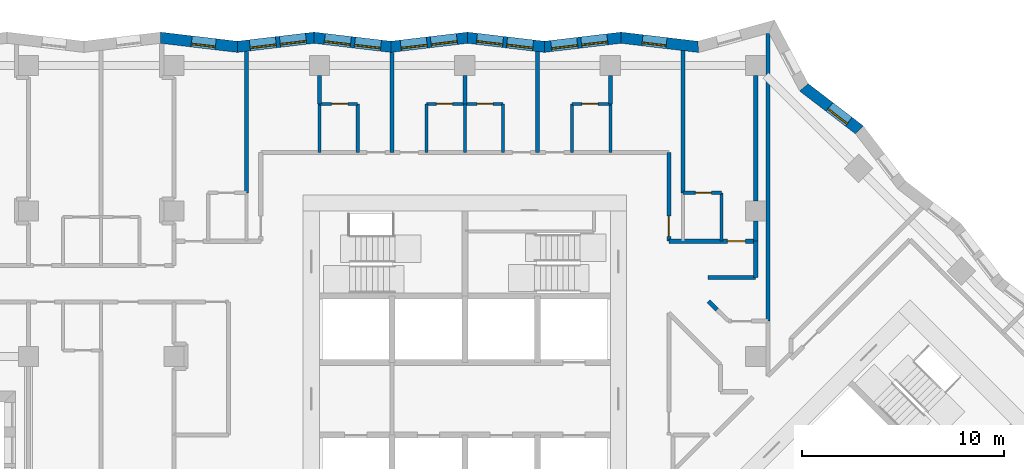
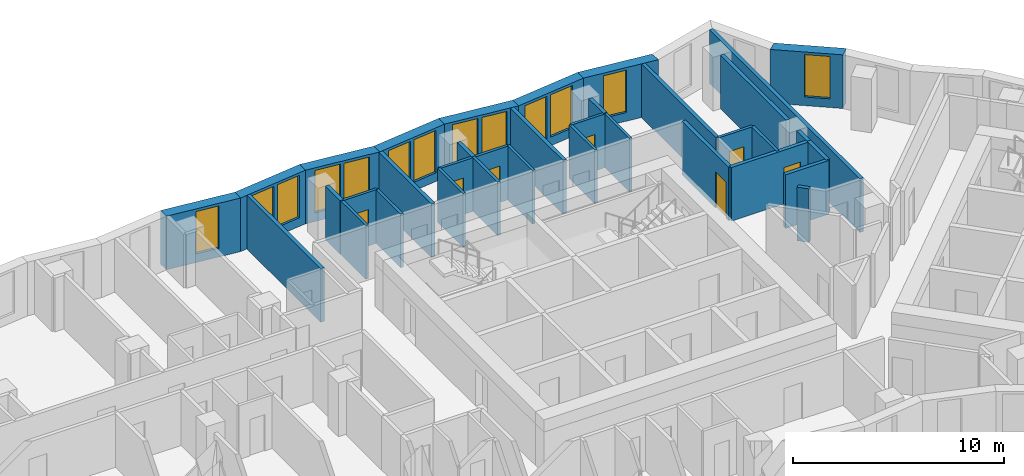
# One storey, part 7 of 13: 35 walls, 13 windows, 7 doors, 20 openings.
"""IFC4 building model written with IfcOpenShell, lengths in metres."""

import ifcopenshell
import ifcopenshell.guid

model = None  # the IFC model being written
_history = None  # IfcOwnerHistory: only IFC2X3 demands one
_inside = {}  # id of a spatial element -> (the spatial element, [elements in it])
_under = {}  # id of a project, library or spatial element -> (it, [spatial elements below it])
_declared = {}  # id of a project -> (the project, [libraries it declares])
_typed = {}  # id of a type object -> (the type object, [elements of that type])
_made_of = {}  # id of a material, layer set ... -> (it, [elements and type objects made of it])


def new_model(schema):
    """Start an empty IFC model of exactly this schema.

    Asked for "IFC4X3", IfcOpenShell would pick the latest addendum, in which some entities
    have other attributes; the version numbers below select the first issue.
    IFC2X3 requires an IfcOwnerHistory on every rooted entity: one is made here for all.
    """
    global model, _history
    if schema == "IFC4X3":
        model = ifcopenshell.file(schema_version=(4, 3, 0, 0))
    else:
        model = ifcopenshell.file(schema=schema)
    _inside.clear()
    _under.clear()
    _declared.clear()
    _typed.clear()
    _made_of.clear()
    _history = None
    if model.schema == "IFC2X3":
        org = make("IfcOrganization", Name="unknown")
        user = make(
            "IfcPersonAndOrganization",
            ThePerson=make("IfcPerson", FamilyName="unknown"),
            TheOrganization=org,
        )
        app = make(
            "IfcApplication",
            ApplicationDeveloper=org,
            Version="unknown",
            ApplicationFullName="unknown",
            ApplicationIdentifier="unknown",
        )
        _history = make(
            "IfcOwnerHistory",
            OwningUser=user,
            OwningApplication=app,
            ChangeAction="ADDED",
            CreationDate=0,
        )
    return model


def make(cls, **values):
    """One entity of the class cls with the attributes given. An attribute that is None is left unset."""
    return model.create_entity(
        cls, **{name: value for name, value in values.items() if value is not None}
    )


def rooted(cls, **values):
    """An entity with a GlobalId (a new one), such as an element, a storey or a relation."""
    return make(cls, GlobalId=ifcopenshell.guid.new(), OwnerHistory=_history, **values)


def si_unit(unit_type, name, prefix=None):
    """IfcSIUnit, for example si_unit("LENGTHUNIT", "METRE", prefix="MILLI")."""
    return make("IfcSIUnit", UnitType=unit_type, Prefix=prefix, Name=name)


def assignment(units):
    """IfcUnitAssignment: the units of a project."""
    return None if units is None else make("IfcUnitAssignment", Units=units)


def point(xyz):
    """IfcCartesianPoint."""
    return None if xyz is None else make("IfcCartesianPoint", Coordinates=xyz)


def direction(xyz):
    """IfcDirection."""
    return None if xyz is None else make("IfcDirection", DirectionRatios=xyz)


def frame(location, z_axis=None, x_axis=None):
    """IfcAxis2Placement3D, a coordinate frame: its origin and axes. An axis left out is left unset."""
    return make(
        "IfcAxis2Placement3D",
        Location=point(location),
        Axis=direction(z_axis),
        RefDirection=direction(x_axis),
    )


def frame_2d(location, x_axis=None):
    """IfcAxis2Placement2D, a coordinate frame in the plane: its origin and x axis."""
    return make(
        "IfcAxis2Placement2D", Location=point(location), RefDirection=direction(x_axis)
    )


def origin():
    """The frame at (0, 0, 0) with its axes left unset."""
    return frame((0.0, 0.0, 0.0))


def place(relative_to, where):
    """IfcLocalPlacement: puts the frame where relative to a parent placement (None: the world)."""
    return make(
        "IfcLocalPlacement", PlacementRelTo=relative_to, RelativePlacement=where
    )


def context(
    kind, dimensions, precision=None, world=None, true_north=None, identifier=None
):
    """IfcGeometricRepresentationContext, for example the 3D "Model" context."""
    return make(
        "IfcGeometricRepresentationContext",
        ContextIdentifier=identifier,
        ContextType=kind,
        CoordinateSpaceDimension=dimensions,
        Precision=precision,
        WorldCoordinateSystem=world,
        TrueNorth=true_north,
    )


def subcontext(parent, identifier, kind, view, scale=None):
    """IfcGeometricRepresentationSubContext, for example "Body" below "Model"."""
    return make(
        "IfcGeometricRepresentationSubContext",
        ContextIdentifier=identifier,
        ContextType=kind,
        ParentContext=parent,
        TargetScale=scale,
        TargetView=view,
    )


def project(units=None, contexts=None):
    """IfcProject with its units and contexts."""
    return rooted(
        "IfcProject",
        Name="project",
        RepresentationContexts=contexts,
        UnitsInContext=assignment(units),
    )


def spatial(cls, under=None, at=None, **own):
    """A site, building, storey or space (cls), placed at a placement, below another one or the project."""
    s = rooted(cls, ObjectPlacement=at, **own)
    if under is not None:
        _under.setdefault(under.id(), (under, []))[1].append(s)
    return s


def polyline(points):
    """IfcPolyline through the points."""
    return make("IfcPolyline", Points=[point(p) for p in points])


def profile(cls, at=None, kind="AREA", **sizes):
    """A parametric profile (cls). Its sizes go by their IFC names, for example OverallWidth=200.0."""
    return make(cls, ProfileType=kind, Position=at, **sizes)


def rectangle(**sizes):
    """IfcRectangleProfileDef."""
    return profile("IfcRectangleProfileDef", **sizes)


def outline(outer, holes=None, kind="AREA"):
    """IfcArbitraryClosedProfileDef: a profile drawn as a closed curve; with holes, ...WithVoids."""
    if holes is None:
        return make("IfcArbitraryClosedProfileDef", ProfileType=kind, OuterCurve=outer)
    return make(
        "IfcArbitraryProfileDefWithVoids",
        ProfileType=kind,
        OuterCurve=outer,
        InnerCurves=holes,
    )


def extrude(swept, where, along, depth):
    """IfcExtrudedAreaSolid: the profile swept, set in the frame where, extruded along a direction by depth."""
    return make(
        "IfcExtrudedAreaSolid",
        SweptArea=swept,
        Position=where,
        ExtrudedDirection=direction(along),
        Depth=depth,
    )


def shape(context_of_items, identifier, shape_type, items):
    """IfcShapeRepresentation: the items that make up one representation, for example the "Body"."""
    return make(
        "IfcShapeRepresentation",
        ContextOfItems=context_of_items,
        RepresentationIdentifier=identifier,
        RepresentationType=shape_type,
        Items=items,
    )


def material(Name=None, Category=None):
    """IfcMaterial."""
    return make("IfcMaterial", Name=Name, Category=Category)


def layer(
    of_material, thickness, ventilated=None, Name=None, Category=None, Priority=None
):
    """IfcMaterialLayer: one layer of a wall or slab, of a material (None: an air gap)."""
    return make(
        "IfcMaterialLayer",
        Material=of_material,
        LayerThickness=thickness,
        IsVentilated=ventilated,
        Name=Name,
        Category=Category,
        Priority=Priority,
    )


def layer_set(layers, Name=None):
    """IfcMaterialLayerSet."""
    return make("IfcMaterialLayerSet", MaterialLayers=layers, LayerSetName=Name)


def made_of(thing, what):
    """Note that an element or type object is made of a material, layer set ...; save() writes the relation."""
    if what is not None:
        _made_of.setdefault(what.id(), (what, []))[1].append(thing)
    return thing


def type_object(cls, material=None, **own):
    """A type object (cls), such as IfcWallType, which elements share."""
    return made_of(rooted(cls, **own), material)


def element(
    cls,
    number,
    at=None,
    inside=None,
    cuts=None,
    type_object=None,
    material=None,
    context=None,
    identifier="Body",
    shape_type=None,
    held_by="IfcProductDefinitionShape",
    body=None,
    shapes=None,
    **own,
):
    """One element of the class cls, such as IfcWall. Its Tag is "e" and its number.

    at: its placement. inside: the storey or other place that contains it. cuts: it is an
    opening in that element (IfcRelVoidsElement). A single representation is given by context,
    identifier, shape_type and body (its items); several are given by shapes. held_by: the class
    of the entity that holds the representations. save() writes the other relations.
    """
    e = rooted(cls, Tag="e%d" % number, ObjectPlacement=at, **own)
    if body is not None:
        shapes = [shape(context, identifier, shape_type, body)]
    if shapes is not None:
        e.Representation = make(held_by, Representations=shapes)
    if inside is not None:
        _inside.setdefault(inside.id(), (inside, []))[1].append(e)
    if cuts is not None:
        rooted(
            "IfcRelVoidsElement", RelatingBuildingElement=cuts, RelatedOpeningElement=e
        )
    if type_object is not None:
        _typed.setdefault(type_object.id(), (type_object, []))[1].append(e)
    return made_of(e, material)


def fill(opening, filler):
    """IfcRelFillsElement: the door or window that sits in an opening."""
    return rooted(
        "IfcRelFillsElement",
        RelatingOpeningElement=opening,
        RelatedBuildingElement=filler,
    )


def aggregate(whole, parts):
    """IfcRelAggregates: a whole, such as a stair, and the parts it consists of."""
    return rooted("IfcRelAggregates", RelatingObject=whole, RelatedObjects=parts)


def save(model, path):
    """Write the relations noted so far, then the file.

    IfcRelAggregates (storeys below a building ...), IfcRelContainedInSpatialStructure (elements
    in a storey), IfcRelDefinesByType, IfcRelAssociatesMaterial and IfcRelDeclares: one each for
    every whole, place, type object, material and project.
    """
    for whole, parts in _under.values():
        aggregate(whole, parts)
    for where, things in _inside.values():
        rooted(
            "IfcRelContainedInSpatialStructure",
            RelatedElements=things,
            RelatingStructure=where,
        )
    for kind, things in _typed.values():
        rooted("IfcRelDefinesByType", RelatedObjects=things, RelatingType=kind)
    for what, things in _made_of.values():
        rooted("IfcRelAssociatesMaterial", RelatedObjects=things, RelatingMaterial=what)
    for by, libraries in _declared.values():
        rooted("IfcRelDeclares", RelatingContext=by, RelatedDefinitions=libraries)
    model.write(path)


model = new_model("IFC4")

# Units and contexts
model_context = context("Model", 3, precision=1e-05, world=origin(), true_north=direction((0.0, 1.0)))
body_context = subcontext(model_context, "Body", "Model", "MODEL_VIEW")
ifc_project = project(units=[si_unit("LENGTHUNIT", "METRE"), si_unit("AREAUNIT", "SQUARE_METRE"), si_unit("VOLUMEUNIT", "CUBIC_METRE"), si_unit("PLANEANGLEUNIT", "RADIAN"), si_unit("MASSUNIT", "GRAM", prefix="KILO")], contexts=[model_context])

# Site, building, storey
site_placement = place(None, origin())
site = spatial("IfcSite", under=ifc_project, at=site_placement, CompositionType="ELEMENT")
building_placement = place(site_placement, origin())
building = spatial("IfcBuilding", under=site, at=building_placement, Name="Windrow Commons", CompositionType="ELEMENT")
storey_placement = place(building_placement, frame((0.0, 0.0, 98.2)))
storey = spatial("IfcBuildingStorey", under=building, at=storey_placement, Name="L26", CompositionType="ELEMENT", Elevation=98.2)

# Wall, opening, window
ifc_material_1 = material(Name="Brick masonry, red clay brick", Category="masonry")
ifc_layer_1 = layer(ifc_material_1, 0.55)
ifc_layer_set_1 = layer_set([ifc_layer_1], Name="Brick facade wall 550")
wall_type_1 = type_object("IfcWallType", Name="Brick facade wall 550", PredefinedType="SOLIDWALL", material=ifc_layer_set_1)
wall_1_placement = place(storey_placement, frame((84.3337, 68.8089, 0.0), z_axis=(0.0, 0.0, 1.0), x_axis=(-0.7937262612, 0.6082751206, 0.0)))
wall_1 = element("IfcWall", 1, at=wall_1_placement, inside=storey, type_object=wall_type_1, Name="Brick facade wall L26 19", PredefinedType="SOLIDWALL", context=body_context, shape_type="SweptSolid", body=[
    extrude(outline(polyline([(-0.0364, -0.275), (3.4028, -0.275), (3.523, 0.275), (0.0364, 0.275), (-0.0364, -0.275)])), origin(), (0.0, 0.0, 1.0), 3.1),
])
opening_1_placement = place(wall_1_placement, frame((0.6714, 0.0, 0.5)))
opening_1 = element("IfcOpeningElement", 2, at=opening_1_placement, cuts=wall_1, Name="Opening W7D", PredefinedType="OPENING", context=body_context, shape_type="SweptSolid", body=[
    extrude(rectangle(XDim=1.2, YDim=2.45, at=frame_2d((0.6, 1.225))), frame((0.0, 0.285, 0.0), z_axis=(0.0, -1.0, 0.0), x_axis=(1.0, 0.0, 0.0)), (0.0, 0.0, 1.0), 0.57),
])
ifc_material_2 = material(Name="Clear float glass in anodised aluminium frame", Category="aluminium")
window_type_1 = type_object("IfcWindowType", Name="Window W7 notch 1200x2450", PartitioningType="SINGLE_PANEL", PredefinedType="WINDOW", material=ifc_material_2)
window_1_placement = place(opening_1_placement, origin())
window_1 = element("IfcWindow", 3, at=window_1_placement, inside=storey, type_object=window_type_1, Name="Window L26 19.1", OverallHeight=2.45, OverallWidth=1.2, PartitioningType="SINGLE_PANEL", PredefinedType="WINDOW", context=body_context, shape_type="SweptSolid", body=[
    extrude(rectangle(XDim=1.2, YDim=2.45, at=frame_2d((0.6, 1.225))), frame((0.0, 0.155, 0.0), z_axis=(0.0, -1.0, 0.0), x_axis=(1.0, 0.0, 0.0)), (0.0, 0.0, 1.0), 0.06),
])
fill(opening_1, window_1)

wall_2_placement = place(storey_placement, frame((76.3547, 72.9205, 0.0), z_axis=(0.0, 0.0, 1.0), x_axis=(-0.9930244072, 0.1179089763, 0.0)))
wall_2 = element("IfcWall", 4, at=wall_2_placement, inside=storey, type_object=wall_type_1, Name="Brick facade wall L26 22", PredefinedType="SOLIDWALL", context=body_context, shape_type="SweptSolid", body=[
    extrude(outline(polyline([(0.054, -0.275), (3.8797, -0.275), (3.8144, 0.275), (-0.054, 0.275), (0.054, -0.275)])), origin(), (0.0, 0.0, 1.0), 3.1),
])
opening_2_placement = place(wall_2_placement, frame((1.5872, 0.0, 0.5)))
opening_2 = element("IfcOpeningElement", 5, at=opening_2_placement, cuts=wall_2, Name="Opening W7D", PredefinedType="OPENING", context=body_context, shape_type="SweptSolid", body=[
    extrude(rectangle(XDim=1.2, YDim=2.45, at=frame_2d((0.6, 1.225))), frame((0.0, 0.285, 0.0), z_axis=(0.0, -1.0, 0.0), x_axis=(1.0, 0.0, 0.0)), (0.0, 0.0, 1.0), 0.57),
])
window_2_placement = place(opening_2_placement, origin())
window_2 = element("IfcWindow", 6, at=window_2_placement, inside=storey, type_object=window_type_1, Name="Window L26 22.1", OverallHeight=2.45, OverallWidth=1.2, PartitioningType="SINGLE_PANEL", PredefinedType="WINDOW", context=body_context, shape_type="SweptSolid", body=[
    extrude(rectangle(XDim=1.2, YDim=2.45, at=frame_2d((0.6, 1.225))), frame((0.0, 0.155, 0.0), z_axis=(0.0, -1.0, 0.0), x_axis=(1.0, 0.0, 0.0)), (0.0, 0.0, 1.0), 0.06),
])
fill(opening_2, window_2)

# Wall, openings, windows
wall_3_placement = place(storey_placement, frame((72.5345, 73.3741, 0.0), z_axis=(0.0, 0.0, 1.0), x_axis=(-0.9930269402, -0.1178876415, 0.0)))
wall_3 = element("IfcWall", 7, at=wall_3_placement, inside=storey, type_object=wall_type_1, Name="Brick facade wall L26 23", PredefinedType="SOLIDWALL", context=body_context, shape_type="SweptSolid", body=[
    extrude(outline(polyline([(-0.0326, -0.275), (3.793, -0.275), (3.8583, 0.275), (0.0326, 0.275), (-0.0326, -0.275)])), origin(), (0.0, 0.0, 1.0), 3.1),
])
opening_3_placement = place(wall_3_placement, frame((0.682, 0.0, 0.5)))
opening_3 = element("IfcOpeningElement", 8, at=opening_3_placement, cuts=wall_3, Name="Opening W1P", PredefinedType="OPENING", context=body_context, shape_type="SweptSolid", body=[
    extrude(rectangle(XDim=1.3, YDim=2.45, at=frame_2d((0.65, 1.225))), frame((0.0, 0.285, 0.0), z_axis=(0.0, -1.0, 0.0), x_axis=(1.0, 0.0, 0.0)), (0.0, 0.0, 1.0), 0.57),
])
opening_4_placement = place(wall_3_placement, frame((2.182, 0.0, 0.5)))
opening_4 = element("IfcOpeningElement", 9, at=opening_4_placement, cuts=wall_3, Name="Opening W1P", PredefinedType="OPENING", context=body_context, shape_type="SweptSolid", body=[
    extrude(rectangle(XDim=1.3, YDim=2.45, at=frame_2d((0.65, 1.225))), frame((0.0, 0.285, 0.0), z_axis=(0.0, -1.0, 0.0), x_axis=(1.0, 0.0, 0.0)), (0.0, 0.0, 1.0), 0.57),
])
ifc_material_3 = material(Name="Clear float glass in anodised aluminium frame", Category="aluminium")
window_type_2 = type_object("IfcWindowType", Name="Window W1P pair 1300x2450", PartitioningType="SINGLE_PANEL", PredefinedType="WINDOW", material=ifc_material_3)
window_3_placement = place(opening_3_placement, origin())
window_3 = element("IfcWindow", 10, at=window_3_placement, inside=storey, type_object=window_type_2, Name="Window L26 23.1A", OverallHeight=2.45, OverallWidth=1.3, PartitioningType="SINGLE_PANEL", PredefinedType="WINDOW", context=body_context, shape_type="SweptSolid", body=[
    extrude(rectangle(XDim=1.3, YDim=2.45, at=frame_2d((0.65, 1.225))), frame((0.0, 0.155, 0.0), z_axis=(0.0, -1.0, 0.0), x_axis=(1.0, 0.0, 0.0)), (0.0, 0.0, 1.0), 0.06),
])
fill(opening_3, window_3)
window_4_placement = place(opening_4_placement, origin())
window_4 = element("IfcWindow", 11, at=window_4_placement, inside=storey, type_object=window_type_2, Name="Window L26 23.1B", OverallHeight=2.45, OverallWidth=1.3, PartitioningType="SINGLE_PANEL", PredefinedType="WINDOW", context=body_context, shape_type="SweptSolid", body=[
    extrude(rectangle(XDim=1.3, YDim=2.45, at=frame_2d((0.65, 1.225))), frame((0.0, 0.155, 0.0), z_axis=(0.0, -1.0, 0.0), x_axis=(1.0, 0.0, 0.0)), (0.0, 0.0, 1.0), 0.06),
])
fill(opening_4, window_4)

wall_4_placement = place(storey_placement, frame((68.7355, 72.9231, 0.0), z_axis=(0.0, 0.0, 1.0), x_axis=(-0.9930265769, 0.1178907016, 0.0)))
wall_4 = element("IfcWall", 12, at=wall_4_placement, inside=storey, type_object=wall_type_1, Name="Brick facade wall L26 24", PredefinedType="SOLIDWALL", context=body_context, shape_type="SweptSolid", body=[
    extrude(outline(polyline([(0.0326, -0.275), (3.8583, -0.275), (3.793, 0.275), (-0.0326, 0.275), (0.0326, -0.275)])), origin(), (0.0, 0.0, 1.0), 3.1),
])
opening_5_placement = place(wall_4_placement, frame((0.5654, 0.0, 0.5)))
opening_5 = element("IfcOpeningElement", 13, at=opening_5_placement, cuts=wall_4, Name="Opening W1P", PredefinedType="OPENING", context=body_context, shape_type="SweptSolid", body=[
    extrude(rectangle(XDim=1.3, YDim=2.45, at=frame_2d((0.65, 1.225))), frame((0.0, 0.285, 0.0), z_axis=(0.0, -1.0, 0.0), x_axis=(1.0, 0.0, 0.0)), (0.0, 0.0, 1.0), 0.57),
])
opening_6_placement = place(wall_4_placement, frame((2.0654, 0.0, 0.5)))
opening_6 = element("IfcOpeningElement", 14, at=opening_6_placement, cuts=wall_4, Name="Opening W1P", PredefinedType="OPENING", context=body_context, shape_type="SweptSolid", body=[
    extrude(rectangle(XDim=1.3, YDim=2.45, at=frame_2d((0.65, 1.225))), frame((0.0, 0.285, 0.0), z_axis=(0.0, -1.0, 0.0), x_axis=(1.0, 0.0, 0.0)), (0.0, 0.0, 1.0), 0.57),
])
window_5_placement = place(opening_5_placement, origin())
window_5 = element("IfcWindow", 15, at=window_5_placement, inside=storey, type_object=window_type_2, Name="Window L26 24.1A", OverallHeight=2.45, OverallWidth=1.3, PartitioningType="SINGLE_PANEL", PredefinedType="WINDOW", context=body_context, shape_type="SweptSolid", body=[
    extrude(rectangle(XDim=1.3, YDim=2.45, at=frame_2d((0.65, 1.225))), frame((0.0, 0.155, 0.0), z_axis=(0.0, -1.0, 0.0), x_axis=(1.0, 0.0, 0.0)), (0.0, 0.0, 1.0), 0.06),
])
fill(opening_5, window_5)
window_6_placement = place(opening_6_placement, origin())
window_6 = element("IfcWindow", 16, at=window_6_placement, inside=storey, type_object=window_type_2, Name="Window L26 24.1B", OverallHeight=2.45, OverallWidth=1.3, PartitioningType="SINGLE_PANEL", PredefinedType="WINDOW", context=body_context, shape_type="SweptSolid", body=[
    extrude(rectangle(XDim=1.3, YDim=2.45, at=frame_2d((0.65, 1.225))), frame((0.0, 0.155, 0.0), z_axis=(0.0, -1.0, 0.0), x_axis=(1.0, 0.0, 0.0)), (0.0, 0.0, 1.0), 0.06),
])
fill(opening_6, window_6)

wall_5_placement = place(storey_placement, frame((64.9366, 73.3741, 0.0), z_axis=(0.0, 0.0, 1.0), x_axis=(-0.9930269402, -0.1178876415, 0.0)))
wall_5 = element("IfcWall", 17, at=wall_5_placement, inside=storey, type_object=wall_type_1, Name="Brick facade wall L26 25", PredefinedType="SOLIDWALL", context=body_context, shape_type="SweptSolid", body=[
    extrude(outline(polyline([(-0.0326, -0.275), (3.793, -0.275), (3.8583, 0.275), (0.0326, 0.275), (-0.0326, -0.275)])), origin(), (0.0, 0.0, 1.0), 3.1),
])
opening_7_placement = place(wall_5_placement, frame((0.5291, 0.0, 0.5)))
opening_7 = element("IfcOpeningElement", 18, at=opening_7_placement, cuts=wall_5, Name="Opening W1P", PredefinedType="OPENING", context=body_context, shape_type="SweptSolid", body=[
    extrude(rectangle(XDim=1.3, YDim=2.45, at=frame_2d((0.65, 1.225))), frame((0.0, 0.285, 0.0), z_axis=(0.0, -1.0, 0.0), x_axis=(1.0, 0.0, 0.0)), (0.0, 0.0, 1.0), 0.57),
])
opening_8_placement = place(wall_5_placement, frame((2.0291, 0.0, 0.5)))
opening_8 = element("IfcOpeningElement", 19, at=opening_8_placement, cuts=wall_5, Name="Opening W1P", PredefinedType="OPENING", context=body_context, shape_type="SweptSolid", body=[
    extrude(rectangle(XDim=1.3, YDim=2.45, at=frame_2d((0.65, 1.225))), frame((0.0, 0.285, 0.0), z_axis=(0.0, -1.0, 0.0), x_axis=(1.0, 0.0, 0.0)), (0.0, 0.0, 1.0), 0.57),
])
window_7_placement = place(opening_7_placement, origin())
window_7 = element("IfcWindow", 20, at=window_7_placement, inside=storey, type_object=window_type_2, Name="Window L26 25.1A", OverallHeight=2.45, OverallWidth=1.3, PartitioningType="SINGLE_PANEL", PredefinedType="WINDOW", context=body_context, shape_type="SweptSolid", body=[
    extrude(rectangle(XDim=1.3, YDim=2.45, at=frame_2d((0.65, 1.225))), frame((0.0, 0.155, 0.0), z_axis=(0.0, -1.0, 0.0), x_axis=(1.0, 0.0, 0.0)), (0.0, 0.0, 1.0), 0.06),
])
fill(opening_7, window_7)
window_8_placement = place(opening_8_placement, origin())
window_8 = element("IfcWindow", 21, at=window_8_placement, inside=storey, type_object=window_type_2, Name="Window L26 25.1B", OverallHeight=2.45, OverallWidth=1.3, PartitioningType="SINGLE_PANEL", PredefinedType="WINDOW", context=body_context, shape_type="SweptSolid", body=[
    extrude(rectangle(XDim=1.3, YDim=2.45, at=frame_2d((0.65, 1.225))), frame((0.0, 0.155, 0.0), z_axis=(0.0, -1.0, 0.0), x_axis=(1.0, 0.0, 0.0)), (0.0, 0.0, 1.0), 0.06),
])
fill(opening_8, window_8)

wall_6_placement = place(storey_placement, frame((61.1376, 72.9231, 0.0), z_axis=(0.0, 0.0, 1.0), x_axis=(-0.9930269402, 0.1178876415, 0.0)))
wall_6 = element("IfcWall", 22, at=wall_6_placement, inside=storey, type_object=wall_type_1, Name="Brick facade wall L26 26", PredefinedType="SOLIDWALL", context=body_context, shape_type="SweptSolid", body=[
    extrude(outline(polyline([(0.0326, -0.275), (3.8583, -0.275), (3.793, 0.275), (-0.0326, 0.275), (0.0326, -0.275)])), origin(), (0.0, 0.0, 1.0), 3.1),
])
opening_9_placement = place(wall_6_placement, frame((0.4965, 0.0, 0.5)))
opening_9 = element("IfcOpeningElement", 23, at=opening_9_placement, cuts=wall_6, Name="Opening W1P", PredefinedType="OPENING", context=body_context, shape_type="SweptSolid", body=[
    extrude(rectangle(XDim=1.3, YDim=2.45, at=frame_2d((0.65, 1.225))), frame((0.0, 0.285, 0.0), z_axis=(0.0, -1.0, 0.0), x_axis=(1.0, 0.0, 0.0)), (0.0, 0.0, 1.0), 0.57),
])
opening_10_placement = place(wall_6_placement, frame((1.9965, 0.0, 0.5)))
opening_10 = element("IfcOpeningElement", 24, at=opening_10_placement, cuts=wall_6, Name="Opening W1P", PredefinedType="OPENING", context=body_context, shape_type="SweptSolid", body=[
    extrude(rectangle(XDim=1.3, YDim=2.45, at=frame_2d((0.65, 1.225))), frame((0.0, 0.285, 0.0), z_axis=(0.0, -1.0, 0.0), x_axis=(1.0, 0.0, 0.0)), (0.0, 0.0, 1.0), 0.57),
])
window_9_placement = place(opening_9_placement, origin())
window_9 = element("IfcWindow", 25, at=window_9_placement, inside=storey, type_object=window_type_2, Name="Window L26 26.1A", OverallHeight=2.45, OverallWidth=1.3, PartitioningType="SINGLE_PANEL", PredefinedType="WINDOW", context=body_context, shape_type="SweptSolid", body=[
    extrude(rectangle(XDim=1.3, YDim=2.45, at=frame_2d((0.65, 1.225))), frame((0.0, 0.155, 0.0), z_axis=(0.0, -1.0, 0.0), x_axis=(1.0, 0.0, 0.0)), (0.0, 0.0, 1.0), 0.06),
])
fill(opening_9, window_9)
window_10_placement = place(opening_10_placement, origin())
window_10 = element("IfcWindow", 26, at=window_10_placement, inside=storey, type_object=window_type_2, Name="Window L26 26.1B", OverallHeight=2.45, OverallWidth=1.3, PartitioningType="SINGLE_PANEL", PredefinedType="WINDOW", context=body_context, shape_type="SweptSolid", body=[
    extrude(rectangle(XDim=1.3, YDim=2.45, at=frame_2d((0.65, 1.225))), frame((0.0, 0.155, 0.0), z_axis=(0.0, -1.0, 0.0), x_axis=(1.0, 0.0, 0.0)), (0.0, 0.0, 1.0), 0.06),
])
fill(opening_10, window_10)

wall_7_placement = place(storey_placement, frame((57.3386, 73.3741, 0.0), z_axis=(0.0, 0.0, 1.0), x_axis=(-0.9930265769, -0.1178907016, 0.0)))
wall_7 = element("IfcWall", 27, at=wall_7_placement, inside=storey, type_object=wall_type_1, Name="Brick facade wall L26 27", PredefinedType="SOLIDWALL", context=body_context, shape_type="SweptSolid", body=[
    extrude(outline(polyline([(-0.0326, -0.275), (3.793, -0.275), (3.8583, 0.275), (0.0326, 0.275), (-0.0326, -0.275)])), origin(), (0.0, 0.0, 1.0), 3.1),
])
opening_11_placement = place(wall_7_placement, frame((0.3974, 0.0, 0.5)))
opening_11 = element("IfcOpeningElement", 28, at=opening_11_placement, cuts=wall_7, Name="Opening W1P", PredefinedType="OPENING", context=body_context, shape_type="SweptSolid", body=[
    extrude(rectangle(XDim=1.3, YDim=2.45, at=frame_2d((0.65, 1.225))), frame((0.0, 0.285, 0.0), z_axis=(0.0, -1.0, 0.0), x_axis=(1.0, 0.0, 0.0)), (0.0, 0.0, 1.0), 0.57),
])
opening_12_placement = place(wall_7_placement, frame((1.8974, 0.0, 0.5)))
opening_12 = element("IfcOpeningElement", 29, at=opening_12_placement, cuts=wall_7, Name="Opening W1P", PredefinedType="OPENING", context=body_context, shape_type="SweptSolid", body=[
    extrude(rectangle(XDim=1.3, YDim=2.45, at=frame_2d((0.65, 1.225))), frame((0.0, 0.285, 0.0), z_axis=(0.0, -1.0, 0.0), x_axis=(1.0, 0.0, 0.0)), (0.0, 0.0, 1.0), 0.57),
])
window_11_placement = place(opening_11_placement, origin())
window_11 = element("IfcWindow", 30, at=window_11_placement, inside=storey, type_object=window_type_2, Name="Window L26 27.1A", OverallHeight=2.45, OverallWidth=1.3, PartitioningType="SINGLE_PANEL", PredefinedType="WINDOW", context=body_context, shape_type="SweptSolid", body=[
    extrude(rectangle(XDim=1.3, YDim=2.45, at=frame_2d((0.65, 1.225))), frame((0.0, 0.155, 0.0), z_axis=(0.0, -1.0, 0.0), x_axis=(1.0, 0.0, 0.0)), (0.0, 0.0, 1.0), 0.06),
])
fill(opening_11, window_11)
window_12_placement = place(opening_12_placement, origin())
window_12 = element("IfcWindow", 31, at=window_12_placement, inside=storey, type_object=window_type_2, Name="Window L26 27.1B", OverallHeight=2.45, OverallWidth=1.3, PartitioningType="SINGLE_PANEL", PredefinedType="WINDOW", context=body_context, shape_type="SweptSolid", body=[
    extrude(rectangle(XDim=1.3, YDim=2.45, at=frame_2d((0.65, 1.225))), frame((0.0, 0.155, 0.0), z_axis=(0.0, -1.0, 0.0), x_axis=(1.0, 0.0, 0.0)), (0.0, 0.0, 1.0), 0.06),
])
fill(opening_12, window_12)

# Wall, opening, window
wall_8_placement = place(storey_placement, frame((53.5397, 72.9231, 0.0), z_axis=(0.0, 0.0, 1.0), x_axis=(-0.9930269402, 0.1178876415, 0.0)))
wall_8 = element("IfcWall", 32, at=wall_8_placement, inside=storey, type_object=wall_type_1, Name="Brick facade wall L26 28", PredefinedType="SOLIDWALL", context=body_context, shape_type="SweptSolid", body=[
    extrude(outline(polyline([(0.0326, -0.275), (3.8583, -0.275), (3.793, 0.275), (-0.0326, 0.275), (0.0326, -0.275)])), origin(), (0.0, 0.0, 1.0), 3.1),
])
opening_13_placement = place(wall_8_placement, frame((1.0809, 0.0, 0.5)))
opening_13 = element("IfcOpeningElement", 33, at=opening_13_placement, cuts=wall_8, Name="Opening W7D", PredefinedType="OPENING", context=body_context, shape_type="SweptSolid", body=[
    extrude(rectangle(XDim=1.2, YDim=2.45, at=frame_2d((0.6, 1.225))), frame((0.0, 0.285, 0.0), z_axis=(0.0, -1.0, 0.0), x_axis=(1.0, 0.0, 0.0)), (0.0, 0.0, 1.0), 0.57),
])
window_13_placement = place(opening_13_placement, origin())
window_13 = element("IfcWindow", 34, at=window_13_placement, inside=storey, type_object=window_type_1, Name="Window L26 28.1", OverallHeight=2.45, OverallWidth=1.2, PartitioningType="SINGLE_PANEL", PredefinedType="WINDOW", context=body_context, shape_type="SweptSolid", body=[
    extrude(rectangle(XDim=1.2, YDim=2.45, at=frame_2d((0.6, 1.225))), frame((0.0, 0.155, 0.0), z_axis=(0.0, -1.0, 0.0), x_axis=(1.0, 0.0, 0.0)), (0.0, 0.0, 1.0), 0.06),
])
fill(opening_13, window_13)

# Wall, opening, door
ifc_material_4 = material(Name="Blockwork partition", Category="masonry")
ifc_layer_2 = layer(ifc_material_4, 0.2)
ifc_layer_set_2 = layer_set([ifc_layer_2], Name="IW-CORRIDOR-200")
wall_type_2 = type_object("IfcWallType", Name="IW-CORRIDOR-200", PredefinedType="PARTITIONING", material=ifc_layer_set_2)
wall_9_placement = place(storey_placement, frame((74.9, 63.302, 0.0), z_axis=(0.0, 0.0, 1.0), x_axis=(0.0, 1.0, 0.0)))
wall_9 = element("IfcWall", 35, at=wall_9_placement, inside=storey, type_object=wall_type_2, Name="W-L26-W048", PredefinedType="PARTITIONING", context=body_context, shape_type="SweptSolid", body=[
    extrude(rectangle(XDim=4.398, YDim=0.2, at=frame_2d((2.199, 0.0))), origin(), (0.0, 0.0, 1.0), 3.1),
])
opening_14_placement = place(wall_9_placement, frame((0.2417, 0.0, 0.0)))
opening_14 = element("IfcOpeningElement", 36, at=opening_14_placement, cuts=wall_9, Name="Opening D310F", PredefinedType="OPENING", context=body_context, shape_type="SweptSolid", body=[
    extrude(rectangle(XDim=1.0, YDim=2.1, at=frame_2d((0.5, 1.05))), frame((0.0, 0.11, 0.0), z_axis=(0.0, -1.0, 0.0), x_axis=(1.0, 0.0, 0.0)), (0.0, 0.0, 1.0), 0.22),
])
ifc_material_5 = material(Name="Timber door leaf", Category="wood")
door_type_1 = type_object("IfcDoorType", Name="DT-AMENITY-1000", OperationType="SINGLE_SWING_LEFT", PredefinedType="DOOR", material=ifc_material_5)
door_1_placement = place(opening_14_placement, origin())
door_1 = element("IfcDoor", 37, at=door_1_placement, inside=storey, type_object=door_type_1, Name="D-L26-D022", OperationType="SINGLE_SWING_RIGHT", OverallHeight=2.1, OverallWidth=1.0, PredefinedType="DOOR", context=body_context, shape_type="SweptSolid", body=[
    extrude(rectangle(XDim=1.0, YDim=2.1, at=frame_2d((0.5, 1.05))), frame((0.0, 0.025, 0.0), z_axis=(0.0, -1.0, 0.0), x_axis=(1.0, 0.0, 0.0)), (0.0, 0.0, 1.0), 0.05),
])
fill(opening_14, door_1)

wall_10_placement = place(storey_placement, frame((74.902, 63.3, 0.0), z_axis=(0.0, 0.0, 1.0), x_axis=(1.0, 0.0, 0.0)))
wall_10 = element("IfcWall", 38, at=wall_10_placement, inside=storey, type_object=wall_type_2, Name="W-L26-W053", PredefinedType="PARTITIONING", context=body_context, shape_type="SweptSolid", body=[
    extrude(rectangle(XDim=4.298, YDim=0.2, at=frame_2d((2.149, 0.0))), origin(), (0.0, 0.0, 1.0), 3.1),
])
opening_15_placement = place(wall_10_placement, frame((2.888, 0.0, 0.0)))
opening_15 = element("IfcOpeningElement", 39, at=opening_15_placement, cuts=wall_10, Name="Opening D109S", PredefinedType="OPENING", context=body_context, shape_type="SweptSolid", body=[
    extrude(rectangle(XDim=0.9, YDim=2.1, at=frame_2d((0.45, 1.05))), frame((0.0, 0.11, 0.0), z_axis=(0.0, -1.0, 0.0), x_axis=(1.0, 0.0, 0.0)), (0.0, 0.0, 1.0), 0.22),
])
ifc_material_6 = material(Name="Timber door leaf", Category="wood")
door_type_2 = type_object("IfcDoorType", Name="DT-BEDROOM-900", OperationType="SINGLE_SWING_LEFT", PredefinedType="DOOR", material=ifc_material_6)
door_2_placement = place(opening_15_placement, origin())
door_2 = element("IfcDoor", 40, at=door_2_placement, inside=storey, type_object=door_type_2, Name="D-L26-D023", OperationType="SINGLE_SWING_LEFT", OverallHeight=2.1, OverallWidth=0.9, PredefinedType="DOOR", context=body_context, shape_type="SweptSolid", body=[
    extrude(rectangle(XDim=0.9, YDim=2.1, at=frame_2d((0.45, 1.05))), frame((0.0, 0.025, 0.0), z_axis=(0.0, -1.0, 0.0), x_axis=(1.0, 0.0, 0.0)), (0.0, 0.0, 1.0), 0.05),
])
fill(opening_15, door_2)

# Walls
wall_11_placement = place(storey_placement, frame((76.83, 61.5, 0.0), z_axis=(0.0, 0.0, 1.0), x_axis=(1.0, 0.0, 0.0)))
element("IfcWall", 41, at=wall_11_placement, inside=storey, type_object=wall_type_2, Name="W-L26-W113", PredefinedType="PARTITIONING", context=body_context, shape_type="SweptSolid", body=[
    extrude(rectangle(XDim=2.37, YDim=0.2, at=frame_2d((1.185, 0.0))), origin(), (0.0, 0.0, 1.0), 3.1),
])
wall_12_placement = place(storey_placement, frame((79.2, 61.502, 0.0), z_axis=(0.0, 0.0, 1.0), x_axis=(0.0, 1.0, 0.0)))
element("IfcWall", 42, at=wall_12_placement, inside=storey, type_object=wall_type_2, Name="W-L26-W154", PredefinedType="PARTITIONING", context=body_context, shape_type="SweptSolid", body=[
    extrude(rectangle(XDim=1.798, YDim=0.2, at=frame_2d((0.899, 0.0))), origin(), (0.0, 0.0, 1.0), 3.1),
])
wall_13_placement = place(storey_placement, frame((76.8654, 60.3274, 0.0), z_axis=(0.0, 0.0, 1.0), x_axis=(0.7071067812, -0.7071067812, 0.0)))
element("IfcWall", 43, at=wall_13_placement, inside=storey, type_object=wall_type_2, Name="W-L26-W204", PredefinedType="PARTITIONING", context=body_context, shape_type="SweptSolid", body=[
    extrude(rectangle(XDim=0.5968, YDim=0.2, at=frame_2d((0.2984, 0.0))), origin(), (0.0, 0.0, 1.0), 3.1),
])

# Wall, openings, doors
ifc_material_7 = material(Name="Blockwork partition", Category="masonry")
ifc_layer_3 = layer(ifc_material_7, 0.15)
ifc_layer_set_3 = layer_set([ifc_layer_3], Name="IW-ENSUITE-150")
wall_type_3 = type_object("IfcWallType", Name="IW-ENSUITE-150", PredefinedType="PARTITIONING", material=ifc_layer_set_3)
wall_14_placement = place(storey_placement, frame((62.9, 70.1, 0.0), z_axis=(0.0, 0.0, 1.0), x_axis=(1.0, 0.0, 0.0)))
wall_14 = element("IfcWall", 44, at=wall_14_placement, inside=storey, type_object=wall_type_3, Name="W-L26-W055", PredefinedType="PARTITIONING", context=body_context, shape_type="SweptSolid", body=[
    extrude(rectangle(XDim=3.8, YDim=0.15, at=frame_2d((1.9, 0.0))), origin(), (0.0, 0.0, 1.0), 3.1),
])
opening_16_placement = place(wall_14_placement, frame((0.4931, 0.0, 0.0)))
opening_16 = element("IfcOpeningElement", 45, at=opening_16_placement, cuts=wall_14, Name="Opening D208N", PredefinedType="OPENING", context=body_context, shape_type="SweptSolid", body=[
    extrude(rectangle(XDim=0.8, YDim=2.1, at=frame_2d((0.4, 1.05))), frame((0.0, 0.085, 0.0), z_axis=(0.0, -1.0, 0.0), x_axis=(1.0, 0.0, 0.0)), (0.0, 0.0, 1.0), 0.17),
])
opening_17_placement = place(wall_14_placement, frame((2.5069, 0.0, 0.0)))
opening_17 = element("IfcOpeningElement", 46, at=opening_17_placement, cuts=wall_14, Name="Opening D208N", PredefinedType="OPENING", context=body_context, shape_type="SweptSolid", body=[
    extrude(rectangle(XDim=0.8, YDim=2.1, at=frame_2d((0.4, 1.05))), frame((0.0, 0.085, 0.0), z_axis=(0.0, -1.0, 0.0), x_axis=(1.0, 0.0, 0.0)), (0.0, 0.0, 1.0), 0.17),
])
ifc_material_8 = material(Name="Timber door leaf", Category="wood")
door_type_3 = type_object("IfcDoorType", Name="DT-ENSUITE-800", OperationType="SINGLE_SWING_LEFT", PredefinedType="DOOR", material=ifc_material_8)
door_3_placement = place(opening_16_placement, origin())
door_3 = element("IfcDoor", 47, at=door_3_placement, inside=storey, type_object=door_type_3, Name="D-L26-D032", OperationType="SINGLE_SWING_RIGHT", OverallHeight=2.1, OverallWidth=0.8, PredefinedType="DOOR", context=body_context, shape_type="SweptSolid", body=[
    extrude(rectangle(XDim=0.8, YDim=2.1, at=frame_2d((0.4, 1.05))), frame((0.0, 0.025, 0.0), z_axis=(0.0, -1.0, 0.0), x_axis=(1.0, 0.0, 0.0)), (0.0, 0.0, 1.0), 0.05),
])
fill(opening_16, door_3)
door_4_placement = place(opening_17_placement, origin())
door_4 = element("IfcDoor", 48, at=door_4_placement, inside=storey, type_object=door_type_3, Name="D-L26-D034", OperationType="SINGLE_SWING_RIGHT", OverallHeight=2.1, OverallWidth=0.8, PredefinedType="DOOR", context=body_context, shape_type="SweptSolid", body=[
    extrude(rectangle(XDim=0.8, YDim=2.1, at=frame_2d((0.4, 1.05))), frame((0.0, 0.025, 0.0), z_axis=(0.0, -1.0, 0.0), x_axis=(1.0, 0.0, 0.0)), (0.0, 0.0, 1.0), 0.05),
])
fill(opening_17, door_4)

# Walls
for number, where, z_axis, x_axis, name in (
    (49, (77.5, 63.3, 0.0), (0.0, 0.0, 1.0), (0.0, 1.0, 0.0), "W-L26-W076"),
    (50, (59.5, 67.7, 0.0), (0.0, 0.0, 1.0), (0.0, 1.0, 0.0), "W-L26-W092"),
    (51, (57.6, 67.7, 0.0), (0.0, 0.0, 1.0), (0.0, 1.0, 0.0), "W-L26-W093"),
    (52, (62.9, 67.7, 0.0), (0.0, 0.0, 1.0), (0.0, 1.0, 0.0), "W-L26-W094"),
    (53, (64.8, 67.7, 0.0), (0.0, 0.0, 1.0), (0.0, 1.0, 0.0), "W-L26-W095"),
    (54, (66.7, 67.7, 0.0), (0.0, 0.0, 1.0), (0.0, 1.0, 0.0), "W-L26-W096"),
    (55, (70.1, 67.7, 0.0), (0.0, 0.0, 1.0), (0.0, 1.0, 0.0), "W-L26-W097"),
    (56, (72.0, 67.7, 0.0), (0.0, 0.0, 1.0), (0.0, 1.0, 0.0), "W-L26-W098"),
):
    element("IfcWall", number, at=place(storey_placement, frame(where, z_axis=z_axis, x_axis=x_axis)), inside=storey, type_object=wall_type_3, Name=name, PredefinedType="PARTITIONING", context=body_context, shape_type="SweptSolid", body=[
        extrude(rectangle(XDim=2.4, YDim=0.15, at=frame_2d((1.2, 0.0))), origin(), (0.0, 0.0, 1.0), 3.1),
    ])

# Wall, opening, door
wall_15_placement = place(storey_placement, frame((75.6, 65.7, 0.0), z_axis=(0.0, 0.0, 1.0), x_axis=(1.0, 0.0, 0.0)))
wall_15 = element("IfcWall", 57, at=wall_15_placement, inside=storey, type_object=wall_type_3, Name="W-L26-W136", PredefinedType="PARTITIONING", context=body_context, shape_type="SweptSolid", body=[
    extrude(rectangle(XDim=1.9, YDim=0.15, at=frame_2d((0.95, 0.0))), origin(), (0.0, 0.0, 1.0), 3.1),
])
opening_18_placement = place(wall_15_placement, frame((0.6069, 0.0, 0.0)))
opening_18 = element("IfcOpeningElement", 58, at=opening_18_placement, cuts=wall_15, Name="Opening D208N", PredefinedType="OPENING", context=body_context, shape_type="SweptSolid", body=[
    extrude(rectangle(XDim=0.8, YDim=2.1, at=frame_2d((0.4, 1.05))), frame((0.0, 0.085, 0.0), z_axis=(0.0, -1.0, 0.0), x_axis=(1.0, 0.0, 0.0)), (0.0, 0.0, 1.0), 0.17),
])
door_5_placement = place(opening_18_placement, origin())
door_5 = element("IfcDoor", 59, at=door_5_placement, inside=storey, type_object=door_type_3, Name="D-L26-D024", OperationType="SINGLE_SWING_RIGHT", OverallHeight=2.1, OverallWidth=0.8, PredefinedType="DOOR", context=body_context, shape_type="SweptSolid", body=[
    extrude(rectangle(XDim=0.8, YDim=2.1, at=frame_2d((0.4, 1.05))), frame((0.0, 0.025, 0.0), z_axis=(0.0, -1.0, 0.0), x_axis=(1.0, 0.0, 0.0)), (0.0, 0.0, 1.0), 0.05),
])
fill(opening_18, door_5)

wall_16_placement = place(storey_placement, frame((70.1, 70.1, 0.0), z_axis=(0.0, 0.0, 1.0), x_axis=(1.0, 0.0, 0.0)))
wall_16 = element("IfcWall", 60, at=wall_16_placement, inside=storey, type_object=wall_type_3, Name="W-L26-W137", PredefinedType="PARTITIONING", context=body_context, shape_type="SweptSolid", body=[
    extrude(rectangle(XDim=1.9, YDim=0.15, at=frame_2d((0.95, 0.0))), origin(), (0.0, 0.0, 1.0), 3.1),
])
opening_19_placement = place(wall_16_placement, frame((0.4931, 0.0, 0.0)))
opening_19 = element("IfcOpeningElement", 61, at=opening_19_placement, cuts=wall_16, Name="Opening D208N", PredefinedType="OPENING", context=body_context, shape_type="SweptSolid", body=[
    extrude(rectangle(XDim=0.8, YDim=2.1, at=frame_2d((0.4, 1.05))), frame((0.0, 0.085, 0.0), z_axis=(0.0, -1.0, 0.0), x_axis=(1.0, 0.0, 0.0)), (0.0, 0.0, 1.0), 0.17),
])
door_6_placement = place(opening_19_placement, origin())
door_6 = element("IfcDoor", 62, at=door_6_placement, inside=storey, type_object=door_type_3, Name="D-L26-D036", OperationType="SINGLE_SWING_RIGHT", OverallHeight=2.1, OverallWidth=0.8, PredefinedType="DOOR", context=body_context, shape_type="SweptSolid", body=[
    extrude(rectangle(XDim=0.8, YDim=2.1, at=frame_2d((0.4, 1.05))), frame((0.0, 0.025, 0.0), z_axis=(0.0, -1.0, 0.0), x_axis=(1.0, 0.0, 0.0)), (0.0, 0.0, 1.0), 0.05),
])
fill(opening_19, door_6)

wall_17_placement = place(storey_placement, frame((57.6, 70.1, 0.0), z_axis=(0.0, 0.0, 1.0), x_axis=(1.0, 0.0, 0.0)))
wall_17 = element("IfcWall", 63, at=wall_17_placement, inside=storey, type_object=wall_type_3, Name="W-L26-W143", PredefinedType="PARTITIONING", context=body_context, shape_type="SweptSolid", body=[
    extrude(rectangle(XDim=1.9, YDim=0.15, at=frame_2d((0.95, 0.0))), origin(), (0.0, 0.0, 1.0), 3.1),
])
opening_20_placement = place(wall_17_placement, frame((0.6069, 0.0, 0.0)))
opening_20 = element("IfcOpeningElement", 64, at=opening_20_placement, cuts=wall_17, Name="Opening D208N", PredefinedType="OPENING", context=body_context, shape_type="SweptSolid", body=[
    extrude(rectangle(XDim=0.8, YDim=2.1, at=frame_2d((0.4, 1.05))), frame((0.0, 0.085, 0.0), z_axis=(0.0, -1.0, 0.0), x_axis=(1.0, 0.0, 0.0)), (0.0, 0.0, 1.0), 0.17),
])
door_7_placement = place(opening_20_placement, origin())
door_7 = element("IfcDoor", 65, at=door_7_placement, inside=storey, type_object=door_type_3, Name="D-L26-D030", OperationType="SINGLE_SWING_RIGHT", OverallHeight=2.1, OverallWidth=0.8, PredefinedType="DOOR", context=body_context, shape_type="SweptSolid", body=[
    extrude(rectangle(XDim=0.8, YDim=2.1, at=frame_2d((0.4, 1.05))), frame((0.0, 0.025, 0.0), z_axis=(0.0, -1.0, 0.0), x_axis=(1.0, 0.0, 0.0)), (0.0, 0.0, 1.0), 0.05),
])
fill(opening_20, door_7)

# Walls
ifc_material_9 = material(Name="Blockwork partition", Category="masonry")
ifc_layer_4 = layer(ifc_material_9, 0.2)
ifc_layer_set_4 = layer_set([ifc_layer_4], Name="IW-PARTY-200")
wall_type_4 = type_object("IfcWallType", Name="IW-PARTY-200", PredefinedType="PARTITIONING", material=ifc_layer_set_4)
wall_18_placement = place(storey_placement, frame((79.8, 59.35, 0.0), z_axis=(0.0, 0.0, 1.0), x_axis=(0.0, 1.0, 0.0)))
element("IfcWall", 66, at=wall_18_placement, inside=storey, type_object=wall_type_4, Name="W-L26-W005", PredefinedType="PARTITIONING", context=body_context, shape_type="SweptSolid", body=[
    extrude(rectangle(XDim=14.2384, YDim=0.2, at=frame_2d((7.1192, 0.0))), origin(), (0.0, 0.0, 1.0), 3.1),
])
wall_19_placement = place(storey_placement, frame((75.6, 65.7, 0.0), z_axis=(0.0, 0.0, 1.0), x_axis=(0.0, 1.0, 0.0)))
element("IfcWall", 67, at=wall_19_placement, inside=storey, type_object=wall_type_4, Name="W-L26-W022", PredefinedType="PARTITIONING", context=body_context, shape_type="SweptSolid", body=[
    extrude(rectangle(XDim=7.0332, YDim=0.2, at=frame_2d((3.5166, 0.0))), origin(), (0.0, 0.0, 1.0), 3.1),
])
wall_20_placement = place(storey_placement, frame((54.0, 65.7, 0.0), z_axis=(0.0, 0.0, 1.0), x_axis=(0.0, 1.0, 0.0)))
element("IfcWall", 68, at=wall_20_placement, inside=storey, type_object=wall_type_4, Name="W-L26-W023", PredefinedType="PARTITIONING", context=body_context, shape_type="SweptSolid", body=[
    extrude(rectangle(XDim=7.0008, YDim=0.2, at=frame_2d((3.5004, 0.0))), origin(), (0.0, 0.0, 1.0), 3.1),
])
wall_21_placement = place(storey_placement, frame((79.2, 65.3, 0.0), z_axis=(0.0, 0.0, 1.0), x_axis=(0.0, 1.0, 0.0)))
element("IfcWall", 69, at=wall_21_placement, inside=storey, type_object=wall_type_4, Name="W-L26-W027", PredefinedType="PARTITIONING", context=body_context, shape_type="SweptSolid", body=[
    extrude(rectangle(XDim=6.2, YDim=0.2, at=frame_2d((3.1, 0.0))), origin(), (0.0, 0.0, 1.0), 3.1),
])
wall_22_placement = place(storey_placement, frame((68.4, 67.7, 0.0), z_axis=(0.0, 0.0, 1.0), x_axis=(0.0, 1.0, 0.0)))
element("IfcWall", 70, at=wall_22_placement, inside=storey, type_object=wall_type_4, Name="W-L26-W043", PredefinedType="PARTITIONING", context=body_context, shape_type="SweptSolid", body=[
    extrude(rectangle(XDim=4.986, YDim=0.2, at=frame_2d((2.493, 0.0))), origin(), (0.0, 0.0, 1.0), 3.1),
])
wall_23_placement = place(storey_placement, frame((61.2, 67.7, 0.0), z_axis=(0.0, 0.0, 1.0), x_axis=(0.0, 1.0, 0.0)))
element("IfcWall", 71, at=wall_23_placement, inside=storey, type_object=wall_type_4, Name="W-L26-W044", PredefinedType="PARTITIONING", context=body_context, shape_type="SweptSolid", body=[
    extrude(rectangle(XDim=4.9535, YDim=0.2, at=frame_2d((2.4768, 0.0))), origin(), (0.0, 0.0, 1.0), 3.1),
])
for number, where, z_axis, x_axis, name in (
    (72, (57.6, 70.1, 0.0), (0.0, 0.0, 1.0), (0.0, 1.0, 0.0), "W-L26-W166"),
    (73, (64.8, 70.1, 0.0), (0.0, 0.0, 1.0), (0.0, 1.0, 0.0), "W-L26-W167"),
    (74, (72.0, 70.1, 0.0), (0.0, 0.0, 1.0), (0.0, 1.0, 0.0), "W-L26-W168"),
):
    element("IfcWall", number, at=place(storey_placement, frame(where, z_axis=z_axis, x_axis=x_axis)), inside=storey, type_object=wall_type_4, Name=name, PredefinedType="PARTITIONING", context=body_context, shape_type="SweptSolid", body=[
        extrude(rectangle(XDim=1.4, YDim=0.2, at=frame_2d((0.7, 0.0))), origin(), (0.0, 0.0, 1.0), 3.1),
    ])
wall_24_placement = place(storey_placement, frame((79.2, 63.3, 0.0), z_axis=(0.0, 0.0, 1.0), x_axis=(0.0, 1.0, 0.0)))
element("IfcWall", 75, at=wall_24_placement, inside=storey, type_object=wall_type_4, Name="W-L26-W183", PredefinedType="PARTITIONING", context=body_context, shape_type="SweptSolid", body=[
    extrude(rectangle(XDim=1.0, YDim=0.2, at=frame_2d((0.5, 0.0))), origin(), (0.0, 0.0, 1.0), 3.1),
])

save(model, "model.ifc")
